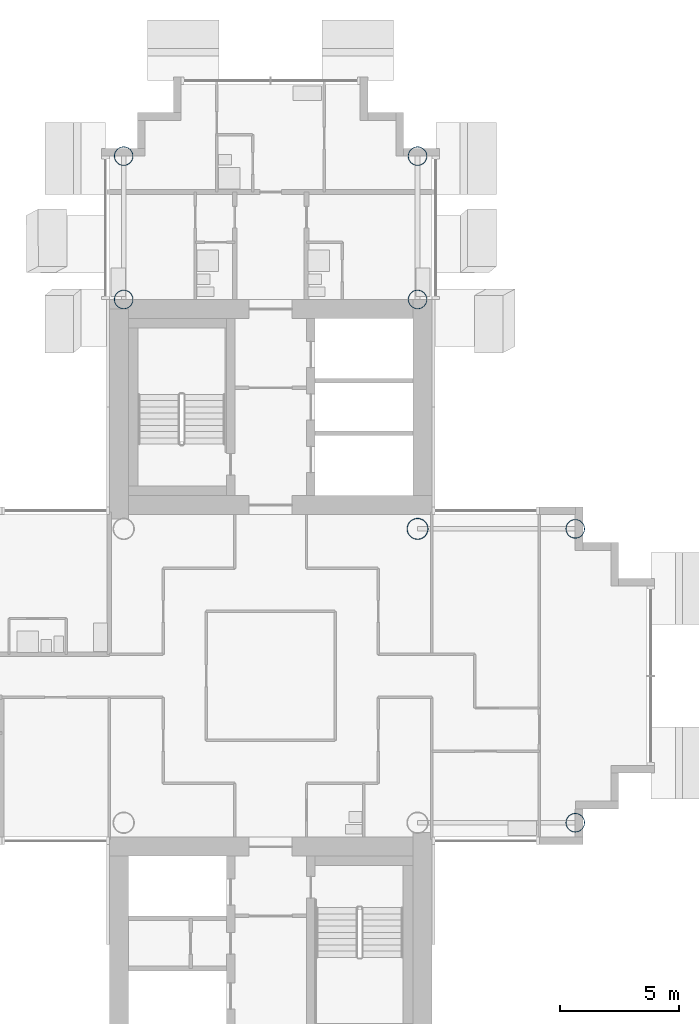
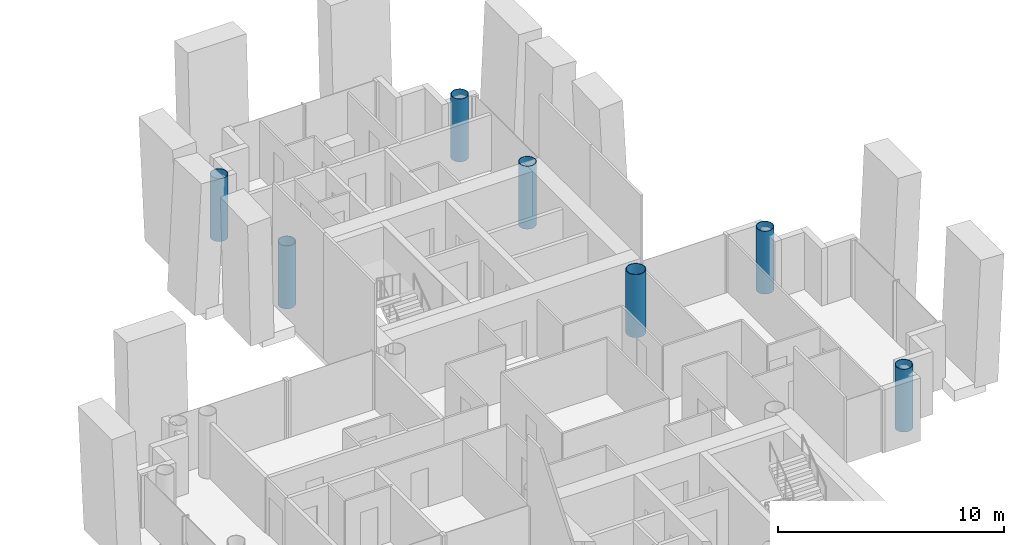
# One storey, part 2 of 18: 7 columns.
"""IFC4 building model written with IfcOpenShell, lengths in metres."""

from ifc_helpers import new_model, si_unit, direction, frame, origin, origin_2d, place, context, subcontext, project, spatial, hollow_circle, extrude, material, material_profile, profile_set, type_object, element, save


model = new_model("IFC4")

# Units and contexts
model_context = context("Model", 3, precision=1e-05, world=origin(), true_north=direction((0.0, 1.0)))
body_context = subcontext(model_context, "Body", "Model", "MODEL_VIEW")
ifc_project = project(units=[si_unit("LENGTHUNIT", "METRE"), si_unit("AREAUNIT", "SQUARE_METRE"), si_unit("VOLUMEUNIT", "CUBIC_METRE"), si_unit("PLANEANGLEUNIT", "RADIAN"), si_unit("MASSUNIT", "GRAM", prefix="KILO")], contexts=[model_context])

# Site, building, storey
site_placement = place(None, origin())
site = spatial("IfcSite", under=ifc_project, at=site_placement, CompositionType="ELEMENT")
building_placement = place(site_placement, origin())
building = spatial("IfcBuilding", under=site, at=building_placement, Name="Ipe Terrace Towers", CompositionType="ELEMENT")
storey_placement = place(building_placement, frame((0.0, 0.0, 171.10009765625)))
storey = spatial("IfcBuildingStorey", under=building, at=storey_placement, Name="L47", CompositionType="ELEMENT", Elevation=171.10009765625)

# Columns
ifc_material_1 = material(Name="Steel S355 tube with Concrete C60/75 fill", Category="concrete")
ifc_material_profile_1 = material_profile(ifc_material_1, hollow_circle(Radius=0.39990234375, WallThickness=0.028076171875, at=origin_2d()), Name="CHS-800x28")
ifc_profile_set_1 = profile_set([ifc_material_profile_1], Name="Steel S355 tube with Concrete C60/75 fill")
column_type_1 = type_object("IfcColumnType", Name="CH09 COLUMN CHS-800x28", PredefinedType="COLUMN", material=ifc_profile_set_1)
for number, where, z_axis, x_axis, name in (
    (1, (42.14990234375, 15.75, 0.0), (0.0, 0.0, 1.0), (1.0, 0.0, 0.0), "Column T2-C-A01"),
    (2, (29.85009765625, 15.75, 0.0), (0.0, 0.0, 1.0), (1.0, 0.0, 0.0), "Column T2-C-A02"),
    (3, (42.14990234375, 21.75, 0.0), (0.0, 0.0, 1.0), (1.0, 0.0, 0.0), "Column T2-C-A03"),
    (4, (29.85009765625, 21.75, 0.0), (0.0, 0.0, 1.0), (1.0, 0.0, 0.0), "Column T2-C-A04"),
    (5, (48.75, -6.14990234375, 0.0), (0.0, 0.0, 1.0), (1.0, 0.0, 0.0), "Column T2-C-D01"),
    (6, (48.75, 6.14990234375, 0.0), (0.0, 0.0, 1.0), (1.0, 0.0, 0.0), "Column T2-C-D02"),
):
    element("IfcColumn", number, at=place(storey_placement, frame(where, z_axis=z_axis, x_axis=x_axis)), inside=storey, type_object=column_type_1, Name=name, PredefinedType="COLUMN", context=body_context, shape_type="SweptSolid", body=[
        extrude(hollow_circle(Radius=0.39990234375, WallThickness=0.028076171875, at=origin_2d()), origin(), (0.0, 0.0, 1.0), 3.39990234375),
    ])
ifc_material_2 = material(Name="Steel S355 tube with Concrete C60/75 fill", Category="concrete")
ifc_material_profile_2 = material_profile(ifc_material_2, hollow_circle(Radius=0.449951171875, WallThickness=0.031982421875, at=origin_2d()), Name="CHS-900x32")
ifc_profile_set_2 = profile_set([ifc_material_profile_2], Name="Steel S355 tube with Concrete C60/75 fill")
column_type_2 = type_object("IfcColumnType", Name="CH10 COLUMN CHS-900x32", PredefinedType="COLUMN", material=ifc_profile_set_2)
column_placement = place(storey_placement, frame((42.14990234375, 6.14990234375, 0.0), z_axis=(0.0, 0.0, 1.0), x_axis=(1.0, 0.0, 0.0)))
element("IfcColumn", 7, at=column_placement, inside=storey, type_object=column_type_2, Name="Column T2-C-E02", PredefinedType="COLUMN", context=body_context, shape_type="SweptSolid", body=[
    extrude(hollow_circle(Radius=0.449951171875, WallThickness=0.031982421875, at=origin_2d()), origin(), (0.0, 0.0, 1.0), 3.39990234375),
])

save(model, "model.ifc")
